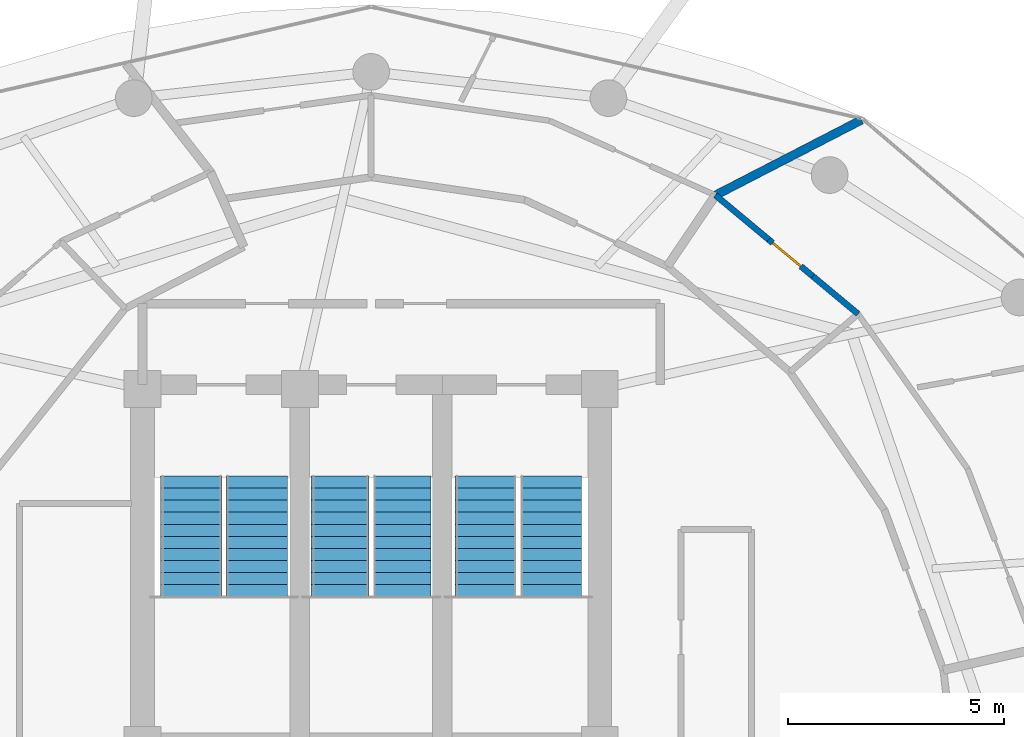
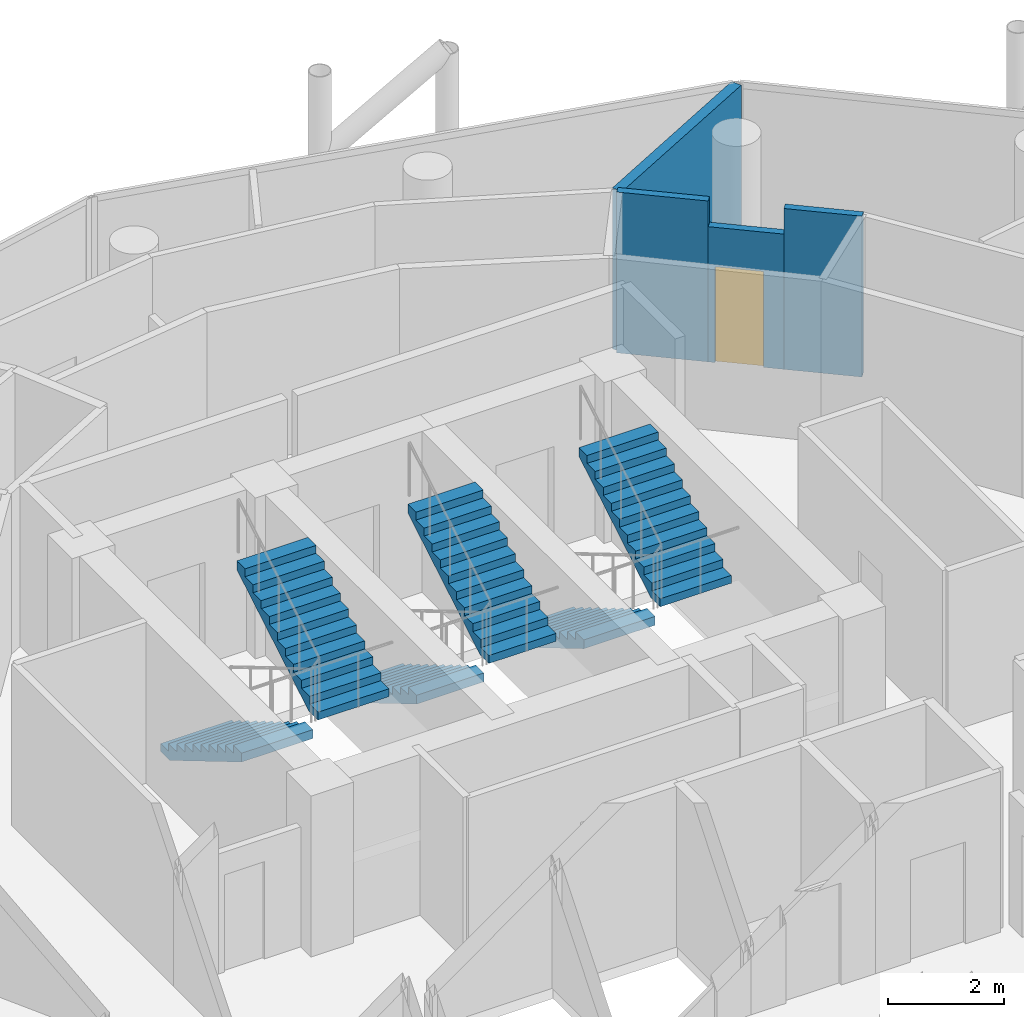
# One storey, part 26 of 27: 6 stair flights, 4 walls, 1 door, 1 opening, 3 elements without a shape of their own.
"""IFC4 building model written with IfcOpenShell, lengths in metres."""

from ifc_helpers import new_model, si_unit, direction, frame, frame_2d, origin, place, context, subcontext, project, spatial, polyline, rectangle, outline, extrude, material, layer, layer_set, type_object, element, fill, aggregate, save


model = new_model("IFC4")

# Units and contexts
model_context = context("Model", 3, precision=1e-05, world=origin(), true_north=direction((0.0, 1.0)))
body_context = subcontext(model_context, "Body", "Model", "MODEL_VIEW")
ifc_project = project(units=[si_unit("LENGTHUNIT", "METRE"), si_unit("AREAUNIT", "SQUARE_METRE"), si_unit("VOLUMEUNIT", "CUBIC_METRE"), si_unit("PLANEANGLEUNIT", "RADIAN"), si_unit("MASSUNIT", "GRAM", prefix="KILO")], contexts=[model_context])

# Site, building, storey
site_placement = place(None, origin())
site = spatial("IfcSite", under=ifc_project, at=site_placement, CompositionType="ELEMENT")
building_placement = place(site_placement, origin())
building = spatial("IfcBuilding", under=site, at=building_placement, Name="Nuhasar Tower", CompositionType="ELEMENT")
storey_placement = place(building_placement, frame((0.0, 0.0, 251.949951171875)))
storey = spatial("IfcBuildingStorey", under=building, at=storey_placement, Name="L62", CompositionType="ELEMENT", Elevation=251.949951171875)

# Walls
ifc_material_1 = material(Name="Concrete C40/50 precast", Category="concrete")
ifc_layer_1 = layer(ifc_material_1, 0.199951171875)
ifc_layer_set_1 = layer_set([ifc_layer_1], Name="Concrete C40/50 precast")
wall_type_1 = type_object("IfcWallType", Name="WL-UNIT-200", PredefinedType="PARTITIONING", material=ifc_layer_set_1)
wall_1_placement = place(storey_placement, frame((46.97998046875, 41.791015625, 0.0), z_axis=(0.0, 0.0, 1.0), x_axis=(0.888751319937, 0.458389671905, 0.0)))
element("IfcWall", 1, at=wall_1_placement, inside=storey, type_object=wall_type_1, Name="L62 Interior Partition URAD-08-S2", PredefinedType="PARTITIONING", context=body_context, shape_type="SweptSolid", body=[
    extrude(rectangle(XDim=3.806640625, YDim=0.199951171875, at=frame_2d((1.9033203125, 0.0))), origin(), (0.0, 0.0, 1.0), 3.39013671875),
])
ifc_layer_2 = layer(ifc_material_1, 0.139892578125)
ifc_layer_set_2 = layer_set([ifc_layer_2], Name="Concrete C40/50 precast")
wall_type_2 = type_object("IfcWallType", Name="WL-WET-140", PredefinedType="PARTITIONING", material=ifc_layer_set_2)
wall_2_placement = place(storey_placement, frame((46.97998046875, 41.791015625, 0.0), z_axis=(0.0, 0.0, 1.0), x_axis=(0.768632414363, -0.639690715573, 0.0)))
element("IfcWall", 2, at=wall_2_placement, inside=storey, type_object=wall_type_2, Name="L62 Interior Partition UMID-04-B-06", PredefinedType="PARTITIONING", context=body_context, shape_type="SweptSolid", body=[
    extrude(rectangle(XDim=1.605712890625, YDim=0.139892578125, at=frame_2d((0.802734375, 0.0))), origin(), (0.0, 0.0, 1.0), 3.39013671875),
])

# Wall, opening, door
wall_3_placement = place(storey_placement, frame((48.214111328125, 40.763916015625, 0.0), z_axis=(0.0, 0.0, 1.0), x_axis=(0.76862875953, -0.639695107081, 0.0)))
wall_3 = element("IfcWall", 3, at=wall_3_placement, inside=storey, type_object=wall_type_2, Name="L62 Interior Partition UMID-04-B-06", PredefinedType="PARTITIONING", context=body_context, shape_type="SweptSolid", body=[
    extrude(rectangle(XDim=1.325439453125, YDim=0.139892578125, at=frame_2d((0.66259765625, 0.0))), origin(), (0.0, 0.0, 1.0), 2.85009765625),
])
opening_placement = place(wall_3_placement, frame((0.1201171875, 0.0, 0.0)))
opening = element("IfcOpeningElement", 4, at=opening_placement, cuts=wall_3, Name="Opening DB-01B", PredefinedType="OPENING", context=body_context, shape_type="SweptSolid", body=[
    extrude(rectangle(XDim=0.85009765625, YDim=2.02001953125, at=frame_2d((0.425048828125, 1.010009765625))), frame((0.0, 0.080078125, 0.0), z_axis=(0.0, -1.0, 0.0), x_axis=(1.0, 0.0, 0.0)), (0.0, 0.0, 1.0), 0.159912109375),
])
ifc_material_2 = material(Name="Timber Oak", Category="wood")
door_type = type_object("IfcDoorType", Name="DR-L62-BATH-850", OperationType="NOTDEFINED", PredefinedType="DOOR", material=ifc_material_2)
door_placement = place(opening_placement, origin())
door = element("IfcDoor", 5, at=door_placement, inside=storey, type_object=door_type, Name="L62 U04 Bathroom Door", OperationType="SINGLE_SWING_RIGHT", OverallHeight=2.02001953125, OverallWidth=0.85009765625, PredefinedType="DOOR", context=body_context, shape_type="SweptSolid", body=[
    extrude(rectangle(XDim=0.85009765625, YDim=2.02001953125, at=frame_2d((0.425048828125, 1.010009765625))), frame((0.0, 0.02490234375, 0.0), z_axis=(0.0, -1.0, 0.0), x_axis=(1.0, 0.0, 0.0)), (0.0, 0.0, 1.0), 0.050048828125),
])
fill(opening, door)

# Wall
wall_4_placement = place(storey_placement, frame((49.23291015625, 39.916015625, 0.0), z_axis=(0.0, 0.0, 1.0), x_axis=(0.768469729138, -0.639886142527, 0.0)))
element("IfcWall", 6, at=wall_4_placement, inside=storey, type_object=wall_type_2, Name="L62 Interior Partition UMID-04-B-06", PredefinedType="PARTITIONING", context=body_context, shape_type="SweptSolid", body=[
    extrude(rectangle(XDim=1.368896484375, YDim=0.139892578125, at=frame_2d((0.6845703125, 0.0))), origin(), (0.0, 0.0, 1.0), 3.39013671875),
])

# Stair, stair flights
ifc_material_3 = material(Name="Concrete C45/55", Category="concrete")
stair_type_1 = type_object("IfcStairType", Name="STR-ST-01-2F-22R-1659", PredefinedType="HALF_TURN_STAIR", material=ifc_material_3)
stair_1_placement = place(storey_placement, origin())
stair_1 = element("IfcStair", 7, at=stair_1_placement, inside=storey, type_object=stair_type_1, Name="L62 Exit Stair ST-01", PredefinedType="HALF_TURN_STAIR")
stair_flight_type_1 = type_object("IfcStairFlightType", Name="SFL-ST-01-11R-1659", PredefinedType="STRAIGHT", material=ifc_material_3)
stair_flight_1_placement = place(storey_placement, frame((34.830078125, 35.284912109375, 0.0), z_axis=(0.0, 0.0, 1.0), x_axis=(0.0, -1.0, 0.0)))
stair_flight_1 = element("IfcStairFlight", 8, at=stair_flight_1_placement, type_object=stair_flight_type_1, Name="ST-01 flight 1", NumberOfRisers=11, NumberOfTreads=10, PredefinedType="STRAIGHT", RiserHeight=0.165909, TreadLength=0.28, context=body_context, shape_type="SweptSolid", body=[
    extrude(outline(polyline([(0.0, 0.0), (0.0, 0.166015625), (0.280029296875, 0.166015625), (0.280029296875, 0.331787109375), (0.56005859375, 0.331787109375), (0.56005859375, 0.497802734375), (0.840087890625, 0.497802734375), (0.840087890625, 0.66357421875), (1.1201171875, 0.66357421875), (1.1201171875, 0.82958984375), (1.39990234375, 0.82958984375), (1.39990234375, 0.995361328125), (1.679931640625, 0.995361328125), (1.679931640625, 1.161376953125), (1.9599609375, 1.161376953125), (1.9599609375, 1.327392578125), (2.239990234375, 1.327392578125), (2.239990234375, 1.4931640625), (2.52001953125, 1.4931640625), (2.52001953125, 1.6591796875), (2.800048828125, 1.6591796875), (2.800048828125, 1.824951171875), (2.800048828125, 1.47314453125), (0.313720703125, 0.0), (0.0, 0.0)])), frame((0.0, 0.7099609375, 0.0), z_axis=(0.0, -1.0, 0.0), x_axis=(1.0, 0.0, 0.0)), (0.0, 0.0, 1.0), 1.419921875),
])
stair_flight_2_placement = place(storey_placement, frame((36.35009765625, 32.485107421875, 1.824951171875), z_axis=(0.0, 0.0, 1.0), x_axis=(0.0, 1.0, 0.0)))
stair_flight_2 = element("IfcStairFlight", 9, at=stair_flight_2_placement, type_object=stair_flight_type_1, Name="ST-01 flight 2", NumberOfRisers=11, NumberOfTreads=10, PredefinedType="STRAIGHT", RiserHeight=0.165909, TreadLength=0.28, context=body_context, shape_type="SweptSolid", body=[
    extrude(outline(polyline([(0.0, 0.0), (0.0, 0.166015625), (0.280029296875, 0.166015625), (0.280029296875, 0.331787109375), (0.56005859375, 0.331787109375), (0.56005859375, 0.497802734375), (0.840087890625, 0.497802734375), (0.840087890625, 0.66357421875), (1.1201171875, 0.66357421875), (1.1201171875, 0.82958984375), (1.39990234375, 0.82958984375), (1.39990234375, 0.995361328125), (1.679931640625, 0.995361328125), (1.679931640625, 1.161376953125), (1.9599609375, 1.161376953125), (1.9599609375, 1.327392578125), (2.239990234375, 1.327392578125), (2.239990234375, 1.4931640625), (2.52001953125, 1.4931640625), (2.52001953125, 1.6591796875), (2.800048828125, 1.6591796875), (2.800048828125, 1.824951171875), (2.800048828125, 1.47314453125), (0.313720703125, 0.0), (0.0, 0.0)])), frame((0.0, 0.7099609375, 0.0), z_axis=(0.0, -1.0, 0.0), x_axis=(1.0, 0.0, 0.0)), (0.0, 0.0, 1.0), 1.419921875),
])
aggregate(stair_1, [stair_flight_1, stair_flight_2])

stair_type_2 = type_object("IfcStairType", Name="STR-ST-02-2F-22R-1659", PredefinedType="HALF_TURN_STAIR", material=ifc_material_3)
stair_2_placement = place(storey_placement, origin())
stair_2 = element("IfcStair", 10, at=stair_2_placement, inside=storey, type_object=stair_type_2, Name="L62 Exit Stair ST-02", PredefinedType="HALF_TURN_STAIR")
stair_flight_type_2 = type_object("IfcStairFlightType", Name="SFL-ST-02-11R-1659", PredefinedType="STRAIGHT", material=ifc_material_3)
stair_flight_3_placement = place(storey_placement, frame((41.64990234375, 35.284912109375, 0.0), z_axis=(0.0, 0.0, 1.0), x_axis=(0.0, -1.0, 0.0)))
stair_flight_3 = element("IfcStairFlight", 11, at=stair_flight_3_placement, type_object=stair_flight_type_2, Name="ST-02 flight 1", NumberOfRisers=11, NumberOfTreads=10, PredefinedType="STRAIGHT", RiserHeight=0.165909, TreadLength=0.28, context=body_context, shape_type="SweptSolid", body=[
    extrude(outline(polyline([(0.0, 0.0), (0.0, 0.166015625), (0.280029296875, 0.166015625), (0.280029296875, 0.331787109375), (0.56005859375, 0.331787109375), (0.56005859375, 0.497802734375), (0.840087890625, 0.497802734375), (0.840087890625, 0.66357421875), (1.1201171875, 0.66357421875), (1.1201171875, 0.82958984375), (1.39990234375, 0.82958984375), (1.39990234375, 0.995361328125), (1.679931640625, 0.995361328125), (1.679931640625, 1.161376953125), (1.9599609375, 1.161376953125), (1.9599609375, 1.327392578125), (2.239990234375, 1.327392578125), (2.239990234375, 1.4931640625), (2.52001953125, 1.4931640625), (2.52001953125, 1.6591796875), (2.800048828125, 1.6591796875), (2.800048828125, 1.824951171875), (2.800048828125, 1.47314453125), (0.313720703125, 0.0), (0.0, 0.0)])), frame((0.0, 0.7099609375, 0.0), z_axis=(0.0, -1.0, 0.0), x_axis=(1.0, 0.0, 0.0)), (0.0, 0.0, 1.0), 1.419921875),
])
stair_flight_4_placement = place(storey_placement, frame((43.169921875, 32.485107421875, 1.824951171875), z_axis=(0.0, 0.0, 1.0), x_axis=(0.0, 1.0, 0.0)))
stair_flight_4 = element("IfcStairFlight", 12, at=stair_flight_4_placement, type_object=stair_flight_type_2, Name="ST-02 flight 2", NumberOfRisers=11, NumberOfTreads=10, PredefinedType="STRAIGHT", RiserHeight=0.165909, TreadLength=0.28, context=body_context, shape_type="SweptSolid", body=[
    extrude(outline(polyline([(0.0, 0.0), (0.0, 0.166015625), (0.280029296875, 0.166015625), (0.280029296875, 0.331787109375), (0.56005859375, 0.331787109375), (0.56005859375, 0.497802734375), (0.840087890625, 0.497802734375), (0.840087890625, 0.66357421875), (1.1201171875, 0.66357421875), (1.1201171875, 0.82958984375), (1.39990234375, 0.82958984375), (1.39990234375, 0.995361328125), (1.679931640625, 0.995361328125), (1.679931640625, 1.161376953125), (1.9599609375, 1.161376953125), (1.9599609375, 1.327392578125), (2.239990234375, 1.327392578125), (2.239990234375, 1.4931640625), (2.52001953125, 1.4931640625), (2.52001953125, 1.6591796875), (2.800048828125, 1.6591796875), (2.800048828125, 1.824951171875), (2.800048828125, 1.47314453125), (0.313720703125, 0.0), (0.0, 0.0)])), frame((0.0, 0.7099609375, 0.0), z_axis=(0.0, -1.0, 0.0), x_axis=(1.0, 0.0, 0.0)), (0.0, 0.0, 1.0), 1.419921875),
])
aggregate(stair_2, [stair_flight_3, stair_flight_4])

stair_type_3 = type_object("IfcStairType", Name="STR-ST-03-2F-22R-1659", PredefinedType="HALF_TURN_STAIR", material=ifc_material_3)
stair_3_placement = place(storey_placement, origin())
stair_3 = element("IfcStair", 13, at=stair_3_placement, inside=storey, type_object=stair_type_3, Name="L62 Exit Stair ST-03", PredefinedType="HALF_TURN_STAIR")
stair_flight_type_3 = type_object("IfcStairFlightType", Name="SFL-ST-03-11R-1659", PredefinedType="STRAIGHT", material=ifc_material_3)
stair_flight_5_placement = place(storey_placement, frame((38.280029296875, 35.284912109375, 0.0), z_axis=(0.0, 0.0, 1.0), x_axis=(0.0, -1.0, 0.0)))
stair_flight_5 = element("IfcStairFlight", 14, at=stair_flight_5_placement, type_object=stair_flight_type_3, Name="ST-03 flight 1", NumberOfRisers=11, NumberOfTreads=10, PredefinedType="STRAIGHT", RiserHeight=0.165909, TreadLength=0.28, context=body_context, shape_type="SweptSolid", body=[
    extrude(outline(polyline([(0.0, 0.0), (0.0, 0.166015625), (0.280029296875, 0.166015625), (0.280029296875, 0.331787109375), (0.56005859375, 0.331787109375), (0.56005859375, 0.497802734375), (0.840087890625, 0.497802734375), (0.840087890625, 0.66357421875), (1.1201171875, 0.66357421875), (1.1201171875, 0.82958984375), (1.39990234375, 0.82958984375), (1.39990234375, 0.995361328125), (1.679931640625, 0.995361328125), (1.679931640625, 1.161376953125), (1.9599609375, 1.161376953125), (1.9599609375, 1.327392578125), (2.239990234375, 1.327392578125), (2.239990234375, 1.4931640625), (2.52001953125, 1.4931640625), (2.52001953125, 1.6591796875), (2.800048828125, 1.6591796875), (2.800048828125, 1.824951171875), (2.800048828125, 1.47314453125), (0.313720703125, 0.0), (0.0, 0.0)])), frame((0.0, 0.669921875, 0.0), z_axis=(0.0, -1.0, 0.0), x_axis=(1.0, 0.0, 0.0)), (0.0, 0.0, 1.0), 1.340087890625),
])
stair_flight_6_placement = place(storey_placement, frame((39.719970703125, 32.485107421875, 1.824951171875), z_axis=(0.0, 0.0, 1.0), x_axis=(0.0, 1.0, 0.0)))
stair_flight_6 = element("IfcStairFlight", 15, at=stair_flight_6_placement, type_object=stair_flight_type_3, Name="ST-03 flight 2", NumberOfRisers=11, NumberOfTreads=10, PredefinedType="STRAIGHT", RiserHeight=0.165909, TreadLength=0.28, context=body_context, shape_type="SweptSolid", body=[
    extrude(outline(polyline([(0.0, 0.0), (0.0, 0.166015625), (0.280029296875, 0.166015625), (0.280029296875, 0.331787109375), (0.56005859375, 0.331787109375), (0.56005859375, 0.497802734375), (0.840087890625, 0.497802734375), (0.840087890625, 0.66357421875), (1.1201171875, 0.66357421875), (1.1201171875, 0.82958984375), (1.39990234375, 0.82958984375), (1.39990234375, 0.995361328125), (1.679931640625, 0.995361328125), (1.679931640625, 1.161376953125), (1.9599609375, 1.161376953125), (1.9599609375, 1.327392578125), (2.239990234375, 1.327392578125), (2.239990234375, 1.4931640625), (2.52001953125, 1.4931640625), (2.52001953125, 1.6591796875), (2.800048828125, 1.6591796875), (2.800048828125, 1.824951171875), (2.800048828125, 1.47314453125), (0.313720703125, 0.0), (0.0, 0.0)])), frame((0.0, 0.669921875, 0.0), z_axis=(0.0, -1.0, 0.0), x_axis=(1.0, 0.0, 0.0)), (0.0, 0.0, 1.0), 1.340087890625),
])
aggregate(stair_3, [stair_flight_5, stair_flight_6])

save(model, "model.ifc")
